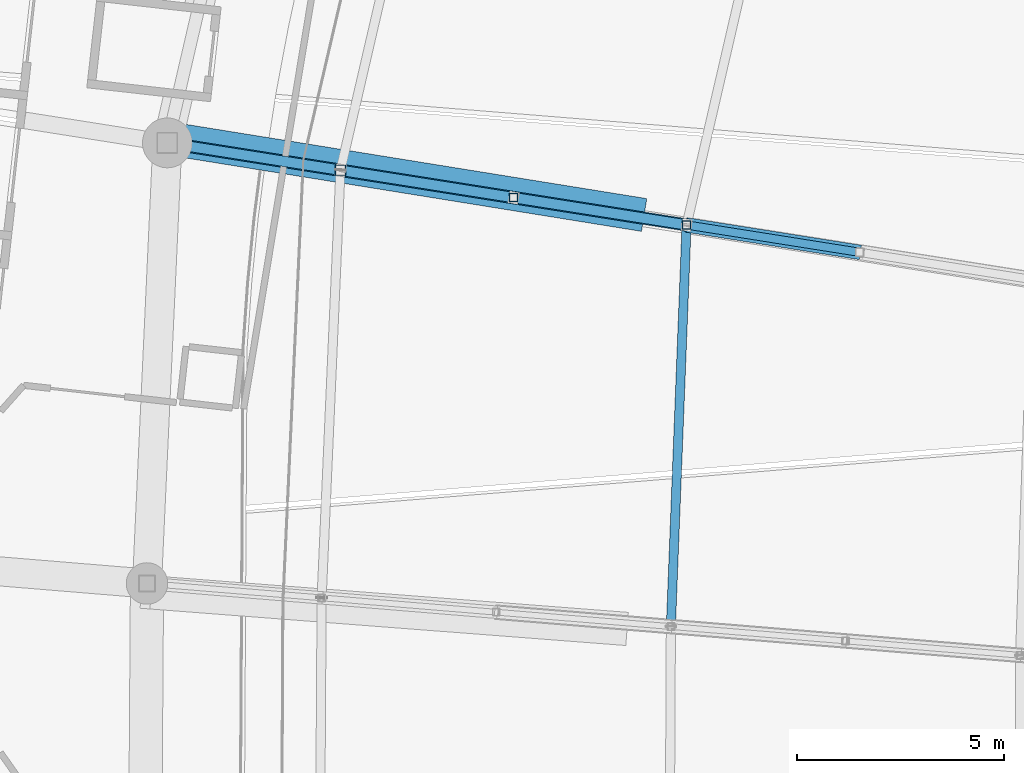
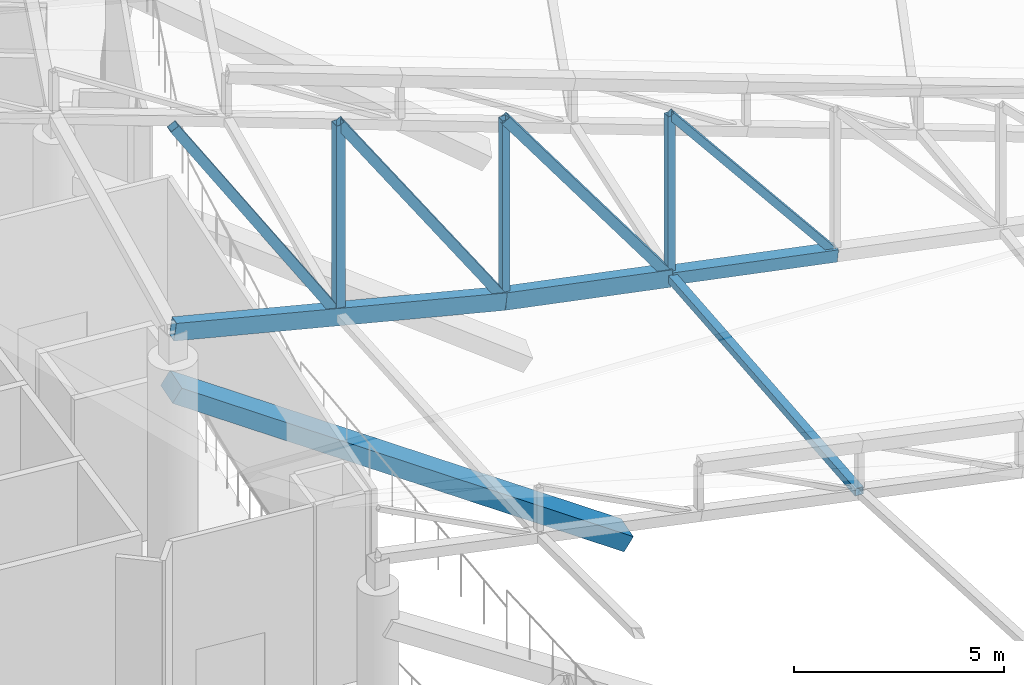
# One storey, part 122 of 344: 11 members, 1 beam.
"""IFC4 building model written with IfcOpenShell, lengths in metres."""

from ifc_helpers import new_model, si_unit, direction, frame, origin, origin_2d, place, context, subcontext, project, spatial, rectangle, hollow_rectangle, extrude, material, material_profile, profile_set, type_object, element, save


model = new_model("IFC4")

# Units and contexts
model_context = context("Model", 3, precision=1e-05, world=origin(), true_north=direction((0.0, 1.0)))
body_context = subcontext(model_context, "Body", "Model", "MODEL_VIEW")
ifc_project = project(units=[si_unit("LENGTHUNIT", "METRE"), si_unit("AREAUNIT", "SQUARE_METRE"), si_unit("VOLUMEUNIT", "CUBIC_METRE"), si_unit("PLANEANGLEUNIT", "RADIAN"), si_unit("MASSUNIT", "GRAM", prefix="KILO")], contexts=[model_context])

# Site, building, storey
site_placement = place(None, origin())
site = spatial("IfcSite", under=ifc_project, at=site_placement, CompositionType="ELEMENT")
building_placement = place(site_placement, origin())
building = spatial("IfcBuilding", under=site, at=building_placement, Name="Meseta Stadium", CompositionType="ELEMENT")
storey_placement = place(building_placement, frame((0.0, 0.0, 24.0)))
storey = spatial("IfcBuildingStorey", under=building, at=storey_placement, Name="L04", CompositionType="ELEMENT", Elevation=24.0)

# Beam
ifc_material_1 = material(Name="Concrete C40/50", Category="concrete")
ifc_material_profile_1 = material_profile(ifc_material_1, rectangle(XDim=0.800048828125, YDim=0.449951171875, at=origin_2d()), Name="RC 800x450")
ifc_profile_set_1 = profile_set([ifc_material_profile_1], Name="Concrete C40/50")
beam_type = type_object("IfcBeamType", Name="RC raker upper rear 800x450", PredefinedType="USERDEFINED", material=ifc_profile_set_1)
beam_placement = place(storey_placement, frame((-72.9921875, 51.84716796875, -2.13525390625), z_axis=(-0.837410546154, 0.134871626507, 0.529672749492), x_axis=(-0.159008836168, -0.987277159677, 0.0)))
element("IfcBeam", 1, at=beam_placement, inside=storey, type_object=beam_type, Name="Raker upper rear frame 28 upper tier", ObjectType="RAKER", PredefinedType="USERDEFINED", context=body_context, shape_type="SweptSolid", body=[
    extrude(rectangle(XDim=0.800048828125, YDim=0.449951171875, at=origin_2d()), origin(), (0.0, 0.0, 1.0), 13.55810546875),
])

# Members
ifc_material_2 = material(Name="Steel S355", Category="steel")
ifc_material_profile_2 = material_profile(ifc_material_2, hollow_rectangle(XDim=0.300048828125, YDim=0.5, WallThickness=0.01611328125, at=origin_2d()), Name="RHS 500x300x16")
ifc_profile_set_2 = profile_set([ifc_material_profile_2], Name="Steel S355")
member_type_1 = type_object("IfcMemberType", Name="RHS 500x300x16 bottom chord", PredefinedType="CHORD", material=ifc_profile_set_2)
member_1_placement = place(storey_placement, frame((-71.85205078125, 51.588134765625, 5.181884765625), z_axis=(-0.98356338082, 0.155463126579, 0.091838402553), x_axis=(-0.15612291387, -0.987737635086, 0.0)))
element("IfcMember", 2, at=member_1_placement, inside=storey, type_object=member_type_1, Name="ROOF TRUSS RT-28 bottom chord", PredefinedType="CHORD", context=body_context, shape_type="SweptSolid", body=[
    extrude(hollow_rectangle(XDim=0.300048828125, YDim=0.5, WallThickness=0.01611328125, at=origin_2d()), origin(), (0.0, 0.0, 1.0), 4.239990234375),
])
member_2_placement = place(storey_placement, frame((-76.0224609375, 52.247314453125, 5.5712890625), z_axis=(-0.977448041444, 0.154467918738, 0.143996487314), x_axis=(-0.156094706732, -0.987742093125, 0.0)))
element("IfcMember", 3, at=member_2_placement, inside=storey, type_object=member_type_1, Name="ROOF TRUSS RT-28 bottom chord", PredefinedType="CHORD", context=body_context, shape_type="SweptSolid", body=[
    extrude(hollow_rectangle(XDim=0.300048828125, YDim=0.5, WallThickness=0.01611328125, at=origin_2d()), origin(), (0.0, 0.0, 1.0), 8.533203125),
])
ifc_material_3 = material(Name="Steel S355", Category="steel")
ifc_material_profile_3 = material_profile(ifc_material_3, hollow_rectangle(XDim=0.199951171875, YDim=0.199951171875, WallThickness=0.008056640625, at=origin_2d()), Name="SHS 200x200x8")
ifc_profile_set_3 = profile_set([ifc_material_profile_3], Name="Steel S355")
member_type_2 = type_object("IfcMemberType", Name="SHS 200x200x8 diagonal", PredefinedType="BRACE", material=ifc_profile_set_3)
member_3_placement = place(storey_placement, frame((-67.681640625, 50.928955078125, 4.79248046875), z_axis=(-0.631487637343, 0.099813641308, 0.768934718225), x_axis=(-0.15612291387, -0.987737635086, 0.0)))
element("IfcMember", 4, at=member_3_placement, inside=storey, type_object=member_type_2, Name="ROOF TRUSS RT-28 diagonal", PredefinedType="BRACE", context=body_context, shape_type="SweptSolid", body=[
    extrude(hollow_rectangle(XDim=0.199951171875, YDim=0.199951171875, WallThickness=0.008056640625, at=origin_2d()), origin(), (0.0, 0.0, 1.0), 6.60400390625),
])
ifc_material_4 = material(Name="Steel S355", Category="steel")
ifc_material_profile_4 = material_profile(ifc_material_4, hollow_rectangle(XDim=0.199951171875, YDim=0.199951171875, WallThickness=0.008056640625, at=origin_2d()), Name="SHS 200x200x8")
ifc_profile_set_4 = profile_set([ifc_material_profile_4], Name="Steel S355")
member_type_3 = type_object("IfcMemberType", Name="SHS 200x200x8 post", PredefinedType="POST", material=ifc_profile_set_4)
member_4_placement = place(storey_placement, frame((-71.85205078125, 51.588134765625, 5.181884765625), z_axis=(0.0, 0.0, 1.0), x_axis=(1.0, 0.0, 0.0)))
element("IfcMember", 5, at=member_4_placement, inside=storey, type_object=member_type_3, Name="ROOF TRUSS RT-28 post", PredefinedType="POST", context=body_context, shape_type="SweptSolid", body=[
    extrude(hollow_rectangle(XDim=0.199951171875, YDim=0.199951171875, WallThickness=0.008056640625, at=origin_2d()), origin(), (0.0, 0.0, 1.0), 4.688720703125),
])
member_5_placement = place(storey_placement, frame((-76.0224609375, 52.247314453125, 5.5712890625), z_axis=(0.0, 0.0, 1.0), x_axis=(1.0, 0.0, 0.0)))
element("IfcMember", 6, at=member_5_placement, inside=storey, type_object=member_type_3, Name="ROOF TRUSS RT-28 post", PredefinedType="POST", context=body_context, shape_type="SweptSolid", body=[
    extrude(hollow_rectangle(XDim=0.199951171875, YDim=0.199951171875, WallThickness=0.008056640625, at=origin_2d()), origin(), (0.0, 0.0, 1.0), 5.237060546875),
])
ifc_material_5 = material(Name="Steel S355", Category="steel")
ifc_material_profile_5 = material_profile(ifc_material_5, hollow_rectangle(XDim=0.219970703125, YDim=0.219970703125, WallThickness=0.008056640625, at=origin_2d()), Name="SHS 220x220x8")
ifc_profile_set_5 = profile_set([ifc_material_profile_5], Name="Steel S355")
member_type_4 = type_object("IfcMemberType", Name="SHS 220x220x8 strut", PredefinedType="STRUT", material=ifc_profile_set_5)
member_6_placement = place(storey_placement, frame((-71.85205078125, 51.588134765625, 5.181884765625), z_axis=(-0.039030321691, -0.998813396928, -0.029127857892), x_axis=(0.999237379414, -0.039046889524, 0.0)))
element("IfcMember", 7, at=member_6_placement, inside=storey, type_object=member_type_4, Name="ROOF TRUSS STRUT RT-28/29", PredefinedType="STRUT", context=body_context, shape_type="SweptSolid", body=[
    extrude(hollow_rectangle(XDim=0.219970703125, YDim=0.219970703125, WallThickness=0.008056640625, at=origin_2d()), origin(), (0.0, 0.0, 1.0), 9.689208984375),
])
ifc_material_6 = material(Name="Steel S355", Category="steel")
ifc_material_profile_6 = material_profile(ifc_material_6, hollow_rectangle(XDim=0.25, YDim=0.25, WallThickness=0.010009765625, at=origin_2d()), Name="SHS 250x250x10")
ifc_profile_set_6 = profile_set([ifc_material_profile_6], Name="Steel S355")
member_type_5 = type_object("IfcMemberType", Name="SHS 250x250x10 diagonal", PredefinedType="BRACE", material=ifc_profile_set_6)
member_7_placement = place(storey_placement, frame((-71.85205078125, 51.588134765625, 5.181884765625), z_axis=(-0.59285243802, 0.093706918549, 0.799840609215), x_axis=(-0.15612291387, -0.987737635086, 0.0)))
element("IfcMember", 8, at=member_7_placement, inside=storey, type_object=member_type_5, Name="ROOF TRUSS RT-28 diagonal", PredefinedType="BRACE", context=body_context, shape_type="SweptSolid", body=[
    extrude(hollow_rectangle(XDim=0.25, YDim=0.25, WallThickness=0.010009765625, at=origin_2d()), origin(), (0.0, 0.0, 1.0), 7.034423828125),
])
member_8_placement = place(storey_placement, frame((-76.0224609375, 52.247314453125, 5.5712890625), z_axis=(-0.557534913549, 0.088091952445, 0.825466309481), x_axis=(-0.156066499211, -0.987746550398, 0.0)))
element("IfcMember", 9, at=member_8_placement, inside=storey, type_object=member_type_5, Name="ROOF TRUSS RT-28 diagonal", PredefinedType="BRACE", context=body_context, shape_type="SweptSolid", body=[
    extrude(hollow_rectangle(XDim=0.25, YDim=0.25, WallThickness=0.010009765625, at=origin_2d()), origin(), (0.0, 0.0, 1.0), 7.47998046875),
])
member_9_placement = place(storey_placement, frame((-80.19287109375, 52.90625, 6.160888671875), z_axis=(-0.536748169642, 0.084839015223, 0.839466344699), x_axis=(-0.15612291387, -0.987737635086, 0.0)))
element("IfcMember", 10, at=member_9_placement, inside=storey, type_object=member_type_5, Name="ROOF TRUSS RT-28 diagonal", PredefinedType="BRACE", context=body_context, shape_type="SweptSolid", body=[
    extrude(hollow_rectangle(XDim=0.25, YDim=0.25, WallThickness=0.010009765625, at=origin_2d()), origin(), (0.0, 0.0, 1.0), 7.769775390625),
])
ifc_material_7 = material(Name="Steel S355", Category="steel")
ifc_material_profile_7 = material_profile(ifc_material_7, hollow_rectangle(XDim=0.25, YDim=0.25, WallThickness=0.010009765625, at=origin_2d()), Name="SHS 250x250x10")
ifc_profile_set_7 = profile_set([ifc_material_profile_7], Name="Steel S355")
member_type_6 = type_object("IfcMemberType", Name="SHS 250x250x10 post", PredefinedType="POST", material=ifc_profile_set_7)
member_10_placement = place(storey_placement, frame((-80.19287109375, 52.90625, 6.160888671875), z_axis=(0.0, 0.0, 1.0), x_axis=(1.0, 0.0, 0.0)))
element("IfcMember", 11, at=member_10_placement, inside=storey, type_object=member_type_6, Name="ROOF TRUSS RT-28 post", PredefinedType="POST", context=body_context, shape_type="SweptSolid", body=[
    extrude(hollow_rectangle(XDim=0.25, YDim=0.25, WallThickness=0.010009765625, at=origin_2d()), origin(), (0.0, 0.0, 1.0), 5.5849609375),
])
ifc_material_8 = material(Name="Steel S355", Category="steel")
ifc_material_profile_8 = material_profile(ifc_material_8, hollow_rectangle(XDim=0.35009765625, YDim=0.35009765625, WallThickness=0.01416015625, at=origin_2d()), Name="SHS 350x350x14.2")
ifc_profile_set_8 = profile_set([ifc_material_profile_8], Name="Steel S355")
member_type_7 = type_object("IfcMemberType", Name="SHS 350x350x14.2 bottom chord", PredefinedType="CHORD", material=ifc_profile_set_8)
member_11_placement = place(storey_placement, frame((-67.681640625, 50.928955078125, 4.79248046875), z_axis=(-0.98356338082, 0.155463126579, 0.091838402553), x_axis=(-0.15612291387, -0.987737635086, 0.0)))
element("IfcMember", 12, at=member_11_placement, inside=storey, type_object=member_type_7, Name="ROOF TRUSS RT-28 bottom chord", PredefinedType="CHORD", context=body_context, shape_type="SweptSolid", body=[
    extrude(hollow_rectangle(XDim=0.35009765625, YDim=0.35009765625, WallThickness=0.01416015625, at=origin_2d()), origin(), (0.0, 0.0, 1.0), 4.239990234375),
])

save(model, "model.ifc")
